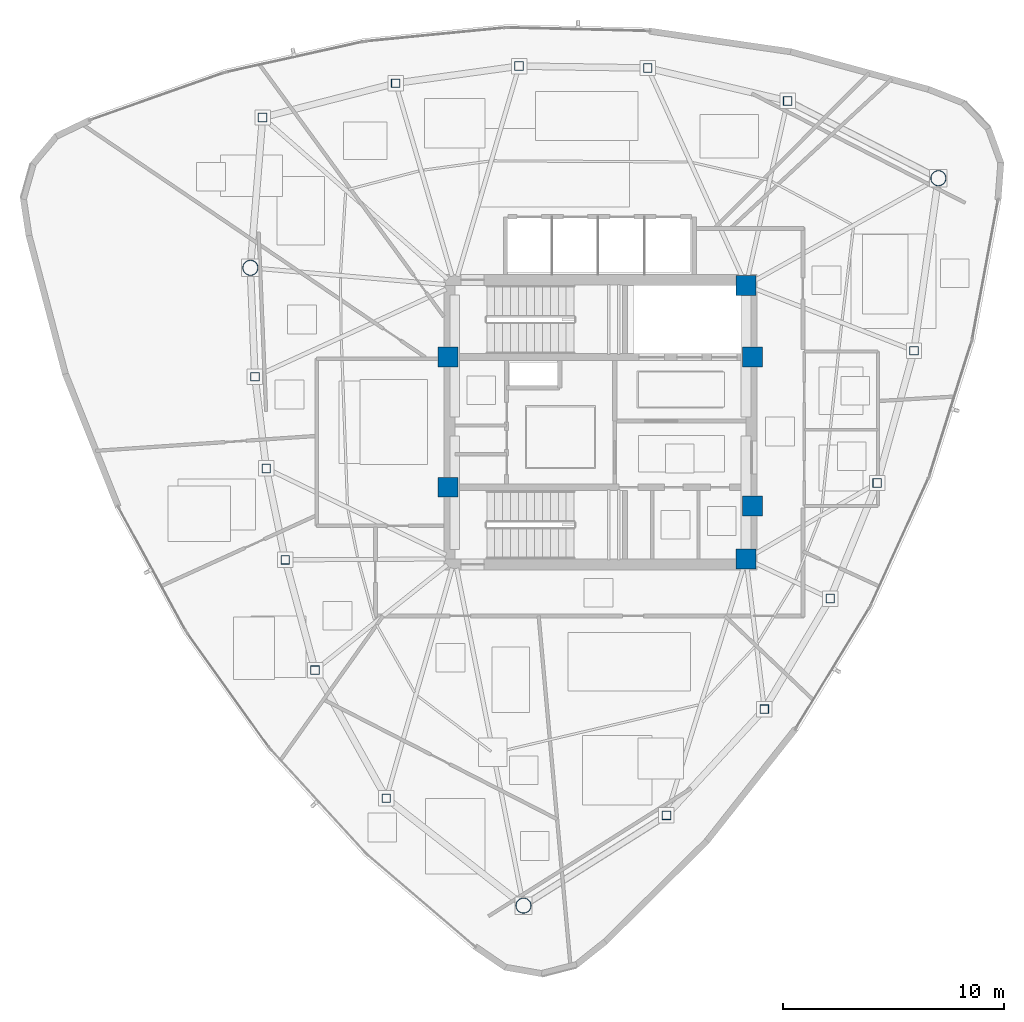
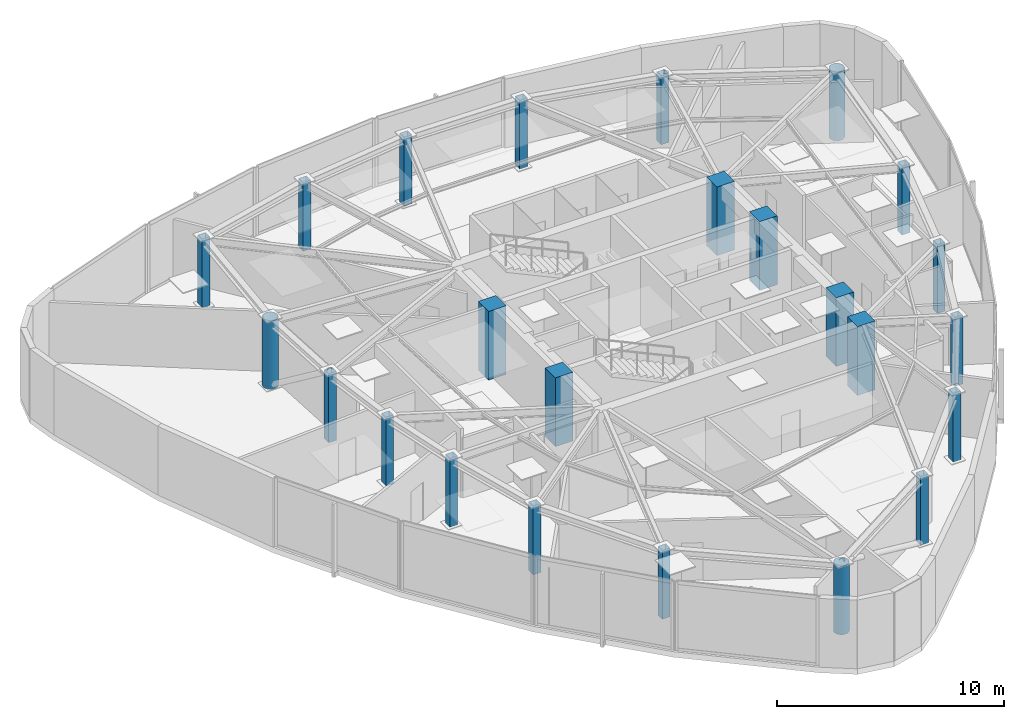
# One storey, part 1 of 13: 24 columns.
"""IFC4 building model written with IfcOpenShell, lengths in metres."""

from ifc_helpers import new_model, si_unit, direction, frame, origin, origin_2d, place, context, subcontext, project, spatial, rectangle, hollow_rectangle, hollow_circle, extrude, material, material_profile, profile_set, type_object, element, save


model = new_model("IFC4")

# Units and contexts
model_context = context("Model", 3, precision=1e-05, world=origin(), true_north=direction((0.0, 1.0)))
body_context = subcontext(model_context, "Body", "Model", "MODEL_VIEW")
ifc_project = project(units=[si_unit("LENGTHUNIT", "METRE"), si_unit("AREAUNIT", "SQUARE_METRE"), si_unit("VOLUMEUNIT", "CUBIC_METRE"), si_unit("PLANEANGLEUNIT", "RADIAN"), si_unit("MASSUNIT", "GRAM", prefix="KILO")], contexts=[model_context])

# Site, building, storey
site_placement = place(None, origin())
site = spatial("IfcSite", under=ifc_project, at=site_placement, CompositionType="ELEMENT")
building_placement = place(site_placement, origin())
building = spatial("IfcBuilding", under=site, at=building_placement, Name="Tavelor Broadcast Tower", CompositionType="ELEMENT")
storey_placement = place(building_placement, frame((0.0, 0.0, 305.5)))
storey = spatial("IfcBuildingStorey", under=building, at=storey_placement, Name="L73", CompositionType="ELEMENT", Elevation=305.5)

# Columns
ifc_material_1 = material(Name="Concrete C50/60", Category="concrete")
ifc_material_profile_1 = material_profile(ifc_material_1, rectangle(XDim=0.89990234375, YDim=0.89990234375, at=origin_2d()), Name="RC 900x900")
ifc_profile_set_1 = profile_set([ifc_material_profile_1], Name="Concrete C50/60")
column_type_1 = type_object("IfcColumnType", Name="Core Embedded Composite Column RC900", PredefinedType="COLUMN", material=ifc_profile_set_1)
for number, where, z_axis, x_axis, name in (
    (1, (43.10009765625, 47.949951171875, 0.0), (0.0, 0.0, 1.0), (1.0, 0.0, 0.0), "L73 Core Embedded Column 1"),
    (2, (56.89990234375, 47.949951171875, 0.0), (0.0, 0.0, 1.0), (1.0, 0.0, 0.0), "L73 Core Embedded Column 2"),
    (3, (56.60009765625, 51.199951171875, 0.0), (0.0, 0.0, 1.0), (1.0, 0.0, 0.0), "L73 Core Embedded Column 3"),
    (4, (43.10009765625, 42.050048828125, 0.0), (0.0, 0.0, 1.0), (1.0, 0.0, 0.0), "L73 Core Embedded Column 4"),
    (5, (56.89990234375, 41.199951171875, 0.0), (0.0, 0.0, 1.0), (1.0, 0.0, 0.0), "L73 Core Embedded Column 5"),
    (6, (56.60009765625, 38.800048828125, 0.0), (0.0, 0.0, 1.0), (1.0, 0.0, 0.0), "L73 Core Embedded Column 6"),
):
    element("IfcColumn", number, at=place(storey_placement, frame(where, z_axis=z_axis, x_axis=x_axis)), inside=storey, type_object=column_type_1, Name=name, PredefinedType="COLUMN", context=body_context, shape_type="SweptSolid", body=[
        extrude(rectangle(XDim=0.89990234375, YDim=0.89990234375, at=origin_2d()), origin(), (0.0, 0.0, 1.0), 3.699951171875),
    ])
ifc_material_2 = material(Name="Steel S460", Category="steel")
ifc_material_profile_2 = material_profile(ifc_material_2, hollow_rectangle(XDim=0.39990234375, YDim=0.39990234375, WallThickness=0.02490234375, at=origin_2d()), Name="SHS 400x400x25")
ifc_profile_set_2 = profile_set([ifc_material_profile_2], Name="Steel S460")
column_type_2 = type_object("IfcColumnType", Name="Perimeter Tube Column T8 SHS 400x400x25", PredefinedType="COLUMN", material=ifc_profile_set_2)
for number, where, z_axis, x_axis, name in (
    (7, (34.341552734375, 47.061279296875, 0.0), (0.0, 0.0, 1.0), (1.0, 0.0, 0.0), "L73 Perimeter Framed-Tube Column 02"),
    (8, (34.85400390625, 42.90185546875, 0.0), (0.0, 0.0, 1.0), (1.0, 0.0, 0.0), "L73 Perimeter Framed-Tube Column 03"),
    (9, (35.716552734375, 38.757080078125, 0.0), (0.0, 0.0, 1.0), (1.0, 0.0, 0.0), "L73 Perimeter Framed-Tube Column 04"),
    (10, (37.068115234375, 33.759521484375, 0.0), (0.0, 0.0, 1.0), (1.0, 0.0, 0.0), "L73 Perimeter Framed-Tube Column 05"),
    (11, (40.29638671875, 27.95361328125, 0.0), (0.0, 0.0, 1.0), (1.0, 0.0, 0.0), "L73 Perimeter Framed-Tube Column 06"),
    (12, (52.992919921875, 27.1767578125, 0.0), (0.0, 0.0, 1.0), (1.0, 0.0, 0.0), "L73 Perimeter Framed-Tube Column 08"),
    (13, (57.431396484375, 31.9921875, 0.0), (0.0, 0.0, 1.0), (1.0, 0.0, 0.0), "L73 Perimeter Framed-Tube Column 09"),
    (14, (60.41748046875, 37.00439453125, 0.0), (0.0, 0.0, 1.0), (1.0, 0.0, 0.0), "L73 Perimeter Framed-Tube Column 10"),
    (15, (62.543701171875, 42.240478515625, 0.0), (0.0, 0.0, 1.0), (1.0, 0.0, 0.0), "L73 Perimeter Framed-Tube Column 11"),
    (16, (64.21435546875, 48.2373046875, 0.0), (0.0, 0.0, 1.0), (1.0, 0.0, 0.0), "L73 Perimeter Framed-Tube Column 12"),
    (17, (58.485595703125, 59.55712890625, 0.0), (0.0, 0.0, 1.0), (1.0, 0.0, 0.0), "L73 Perimeter Framed-Tube Column 14"),
    (18, (52.147216796875, 61.05078125, 0.0), (0.0, 0.0, 1.0), (1.0, 0.0, 0.0), "L73 Perimeter Framed-Tube Column 15"),
    (19, (46.3154296875, 61.13720703125, 0.0), (0.0, 0.0, 1.0), (1.0, 0.0, 0.0), "L73 Perimeter Framed-Tube Column 16"),
    (20, (40.718017578125, 60.36083984375, 0.0), (0.0, 0.0, 1.0), (1.0, 0.0, 0.0), "L73 Perimeter Framed-Tube Column 17"),
    (21, (34.689208984375, 58.80908203125, 0.0), (0.0, 0.0, 1.0), (1.0, 0.0, 0.0), "L73 Perimeter Framed-Tube Column 18"),
):
    element("IfcColumn", number, at=place(storey_placement, frame(where, z_axis=z_axis, x_axis=x_axis)), inside=storey, type_object=column_type_2, Name=name, PredefinedType="COLUMN", context=body_context, shape_type="SweptSolid", body=[
        extrude(hollow_rectangle(XDim=0.39990234375, YDim=0.39990234375, WallThickness=0.02490234375, at=origin_2d()), origin(), (0.0, 0.0, 1.0), 3.699951171875),
    ])
ifc_material_profile_3 = material_profile(ifc_material_2, hollow_circle(Radius=0.35546875, WallThickness=0.031982421875, at=origin_2d()), Name="CHS 711x32")
ifc_profile_set_3 = profile_set([ifc_material_profile_3], Name="Steel S460")
column_type_3 = type_object("IfcColumnType", Name="Tower Mega Column T8 CHS 711x32", PredefinedType="COLUMN", material=ifc_profile_set_3)
for number, where, z_axis, x_axis, name in (
    (22, (34.134765625, 51.995849609375, 0.0), (0.0, 0.0, 1.0), (1.0, 0.0, 0.0), "L73 Tower Corner Mega Column 01"),
    (23, (46.5146484375, 23.08740234375, 0.0), (0.0, 0.0, 1.0), (1.0, 0.0, 0.0), "L73 Tower Corner Mega Column 07"),
    (24, (65.319580078125, 56.0556640625, 0.0), (0.0, 0.0, 1.0), (1.0, 0.0, 0.0), "L73 Tower Corner Mega Column 13"),
):
    element("IfcColumn", number, at=place(storey_placement, frame(where, z_axis=z_axis, x_axis=x_axis)), inside=storey, type_object=column_type_3, Name=name, PredefinedType="COLUMN", context=body_context, shape_type="SweptSolid", body=[
        extrude(hollow_circle(Radius=0.35546875, WallThickness=0.031982421875, at=origin_2d()), origin(), (0.0, 0.0, 1.0), 3.699951171875),
    ])

save(model, "model.ifc")
